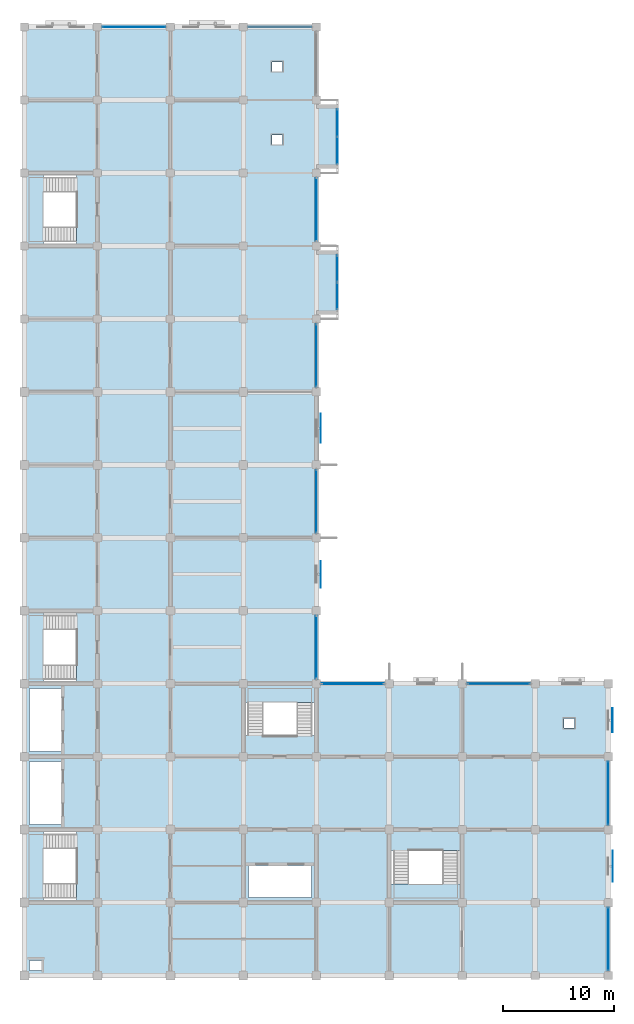
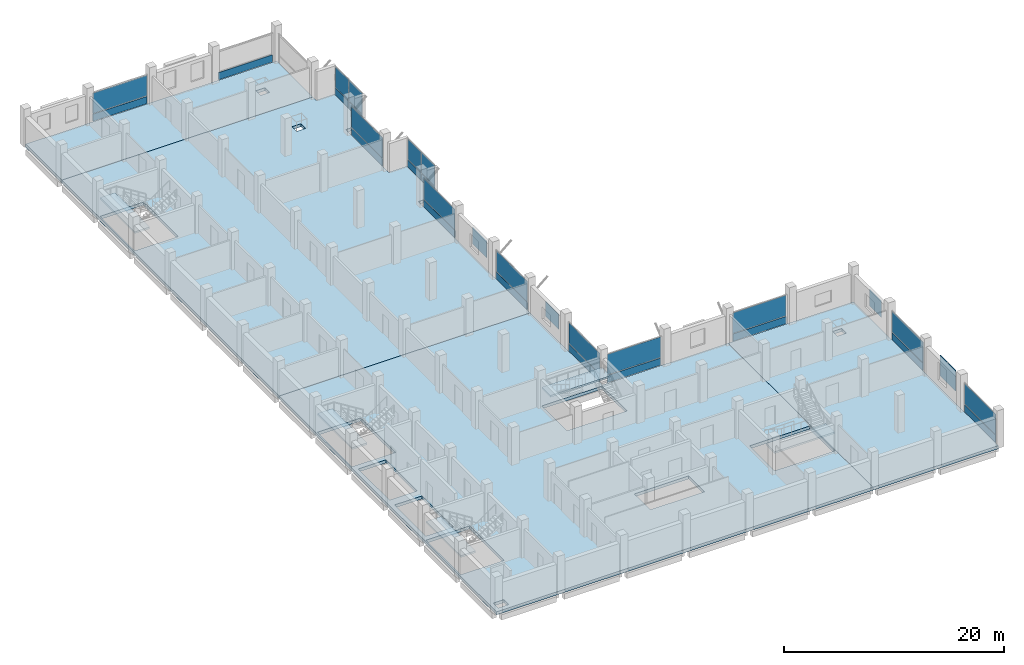
# One storey, part 8 of 18: 31 plates, 9 slabs, 17 elements without a shape of their own.
"""IFC4 building model written with IfcOpenShell, lengths in metres."""

from ifc_helpers import new_model, si_unit, direction, frame, origin, origin_2d, place, context, subcontext, project, spatial, polyline, rectangle, outline, extrude, material, layer, layer_set, type_object, element, aggregate, save


model = new_model("IFC4")

# Units and contexts
model_context = context("Model", 3, precision=1e-05, world=origin(), true_north=direction((0.0, 1.0)))
body_context = subcontext(model_context, "Body", "Model", "MODEL_VIEW")
ifc_project = project(units=[si_unit("LENGTHUNIT", "METRE"), si_unit("AREAUNIT", "SQUARE_METRE"), si_unit("VOLUMEUNIT", "CUBIC_METRE"), si_unit("PLANEANGLEUNIT", "RADIAN"), si_unit("MASSUNIT", "GRAM", prefix="KILO")], contexts=[model_context])

# Site, building, storey
site_placement = place(None, origin())
site = spatial("IfcSite", under=ifc_project, at=site_placement, CompositionType="ELEMENT")
building_placement = place(site_placement, origin())
building = spatial("IfcBuilding", under=site, at=building_placement, Name="Rusizi Kubbe Research Institute", CompositionType="ELEMENT")
storey_placement = place(building_placement, frame((0.0, 0.0, 22.800048828125)))
storey = spatial("IfcBuildingStorey", under=building, at=storey_placement, Name="L05", CompositionType="ELEMENT", Elevation=22.800048828125)

# Curtain wall, plate
ifc_material_1 = material(Name="Thermally Broken Aluminium and Low-E Glazing", Category="aluminium")
curtain_wall_type_1 = type_object("IfcCurtainWallType", Name="CW-09", PredefinedType="NOTDEFINED", material=ifc_material_1)
curtain_wall_1_placement = place(storey_placement, origin())
curtain_wall_1 = element("IfcCurtainWall", 1, at=curtain_wall_1_placement, inside=storey, type_object=curtain_wall_type_1, Name="Unitised Facade Curtain Wall CW-L05-V-04-04", PredefinedType="NOTDEFINED")
ifc_material_2 = material(Name="Double Low-E Solar Control Insulated Glass", Category="glass")
ifc_layer_1 = layer(ifc_material_2, 0.02392578125)
ifc_layer_set_1 = layer_set([ifc_layer_1], Name="Double Low-E Solar Control Insulated Glass")
plate_type_1 = type_object("IfcPlateType", Name="GL-01", PredefinedType="CURTAIN_PANEL", material=ifc_layer_set_1)
plate_1_placement = place(storey_placement, frame((26.39990234375, 29.699951171875, 0.93017578125), z_axis=(0.0, 0.0, 1.0), x_axis=(0.0, 1.0, 0.0)))
plate_1 = element("IfcPlate", 2, at=plate_1_placement, type_object=plate_type_1, Name="CW-09 panel 1.2", PredefinedType="CURTAIN_PANEL", context=body_context, shape_type="SweptSolid", body=[
    extrude(rectangle(XDim=5.659912109375, YDim=0.02392578125, at=origin_2d()), origin(), (0.0, 0.0, 1.0), 2.280029296875),
])

curtain_wall_2_placement = place(storey_placement, origin())
curtain_wall_2 = element("IfcCurtainWall", 3, at=curtain_wall_2_placement, inside=storey, type_object=curtain_wall_type_1, Name="Unitised Facade Curtain Wall CW-L05-H-04-04", PredefinedType="NOTDEFINED")
plate_2_placement = place(storey_placement, frame((29.699951171875, 26.39990234375, 0.93017578125), z_axis=(0.0, 0.0, 1.0), x_axis=(1.0, 0.0, 0.0)))
plate_2 = element("IfcPlate", 4, at=plate_2_placement, type_object=plate_type_1, Name="CW-09 panel 1.2", PredefinedType="CURTAIN_PANEL", context=body_context, shape_type="SweptSolid", body=[
    extrude(rectangle(XDim=5.639892578125, YDim=0.02392578125, at=origin_2d()), origin(), (0.0, 0.0, 1.0), 2.280029296875),
])

ifc_material_3 = material(Name="Thermally Broken Aluminium and Low-E Glazing", Category="aluminium")
curtain_wall_type_2 = type_object("IfcCurtainWallType", Name="CW-08", PredefinedType="NOTDEFINED", material=ifc_material_3)
curtain_wall_3_placement = place(storey_placement, origin())
curtain_wall_3 = element("IfcCurtainWall", 5, at=curtain_wall_3_placement, inside=storey, type_object=curtain_wall_type_2, Name="Unitised Facade Curtain Wall CW-L05-V-04-06", PredefinedType="NOTDEFINED")
ifc_material_4 = material(Name="Double Low-E Solar Control Insulated Glass", Category="glass")
ifc_layer_2 = layer(ifc_material_4, 0.028076171875)
ifc_layer_set_2 = layer_set([ifc_layer_2], Name="Double Low-E Solar Control Insulated Glass")
plate_type_2 = type_object("IfcPlateType", Name="GL-02", PredefinedType="CURTAIN_PANEL", material=ifc_layer_set_2)
plate_3_placement = place(storey_placement, frame((26.39990234375, 42.89990234375, 0.93017578125), z_axis=(0.0, 0.0, 1.0), x_axis=(0.0, 1.0, 0.0)))
plate_3 = element("IfcPlate", 6, at=plate_3_placement, type_object=plate_type_2, Name="CW-08 panel 1.2", PredefinedType="CURTAIN_PANEL", context=body_context, shape_type="SweptSolid", body=[
    extrude(rectangle(XDim=5.64990234375, YDim=0.028076171875, at=origin_2d()), origin(), (0.0, 0.0, 1.0), 2.280029296875),
])

curtain_wall_4_placement = place(storey_placement, origin())
curtain_wall_4 = element("IfcCurtainWall", 7, at=curtain_wall_4_placement, inside=storey, type_object=curtain_wall_type_2, Name="Unitised Facade Curtain Wall CW-L05-H-06-04", PredefinedType="NOTDEFINED")
plate_4_placement = place(storey_placement, frame((42.89990234375, 26.39990234375, 0.93017578125), z_axis=(0.0, 0.0, 1.0), x_axis=(1.0, 0.0, 0.0)))
plate_4 = element("IfcPlate", 8, at=plate_4_placement, type_object=plate_type_2, Name="CW-08 panel 1.2", PredefinedType="CURTAIN_PANEL", context=body_context, shape_type="SweptSolid", body=[
    extrude(rectangle(XDim=5.6298828125, YDim=0.028076171875, at=origin_2d()), origin(), (0.0, 0.0, 1.0), 2.280029296875),
])

curtain_wall_5_placement = place(storey_placement, origin())
curtain_wall_5 = element("IfcCurtainWall", 9, at=curtain_wall_5_placement, inside=storey, type_object=curtain_wall_type_1, Name="Unitised Facade Curtain Wall CW-L05-V-04-08", PredefinedType="NOTDEFINED")
ifc_material_5 = material(Name="Double Low-E Solar Control Insulated Glass", Category="glass")
ifc_layer_3 = layer(ifc_material_5, 0.031982421875)
ifc_layer_set_3 = layer_set([ifc_layer_3], Name="Double Low-E Solar Control Insulated Glass")
plate_type_3 = type_object("IfcPlateType", Name="GL-03", PredefinedType="CURTAIN_PANEL", material=ifc_layer_set_3)
plate_5_placement = place(storey_placement, frame((26.39990234375, 56.10009765625, 0.932373046875), z_axis=(0.0, 0.0, 1.0), x_axis=(0.0, 1.0, 0.0)))
plate_5 = element("IfcPlate", 10, at=plate_5_placement, type_object=plate_type_3, Name="CW-09 panel 1.2", PredefinedType="CURTAIN_PANEL", context=body_context, shape_type="SweptSolid", body=[
    extrude(rectangle(XDim=5.639892578125, YDim=0.031982421875, at=origin_2d()), origin(), (0.0, 0.0, 1.0), 2.2724609375),
])

curtain_wall_6_placement = place(storey_placement, origin())
curtain_wall_6 = element("IfcCurtainWall", 11, at=curtain_wall_6_placement, inside=storey, type_object=curtain_wall_type_1, Name="Unitised Facade Curtain Wall CW-L05-V-08-00", PredefinedType="NOTDEFINED")
plate_6_placement = place(storey_placement, frame((52.800048828125, 3.300048828125, 0.932373046875), z_axis=(0.0, 0.0, 1.0), x_axis=(0.0, 1.0, 0.0)))
plate_6 = element("IfcPlate", 12, at=plate_6_placement, type_object=plate_type_3, Name="CW-09 panel 1.2", PredefinedType="CURTAIN_PANEL", context=body_context, shape_type="SweptSolid", body=[
    extrude(rectangle(XDim=5.669921875, YDim=0.031982421875, at=origin_2d()), origin(), (0.0, 0.0, 1.0), 2.2724609375),
])

# Curtain wall, plates
ifc_material_6 = material(Name="Thermally Broken Aluminium and Low-E Glazing", Category="aluminium")
curtain_wall_type_3 = type_object("IfcCurtainWallType", Name="CW-02", PredefinedType="NOTDEFINED", material=ifc_material_6)
curtain_wall_7_placement = place(storey_placement, origin())
curtain_wall_7 = element("IfcCurtainWall", 13, at=curtain_wall_7_placement, inside=storey, type_object=curtain_wall_type_3, Name="Cumba Glazed Curtain Wall CW-CUMBA-L05-059", PredefinedType="NOTDEFINED")
ifc_material_7 = material(Name="Double Low-E Solar Control Insulated Glass", Category="glass")
ifc_layer_4 = layer(ifc_material_7, 0.035888671875)
ifc_layer_set_4 = layer_set([ifc_layer_4], Name="Double Low-E Solar Control Insulated Glass")
plate_type_4 = type_object("IfcPlateType", Name="GL-04", PredefinedType="CURTAIN_PANEL", material=ifc_layer_set_4)
plate_7_placement = place(storey_placement, frame((28.300048828125, 61.461181640625, 0.93505859375), z_axis=(0.0, 0.0, 1.0), x_axis=(0.0, 1.0, 0.0)))
plate_7 = element("IfcPlate", 14, at=plate_7_placement, type_object=plate_type_4, Name="CW-02 panel 1.2", PredefinedType="CURTAIN_PANEL", context=body_context, shape_type="SweptSolid", body=[
    extrude(rectangle(XDim=2.3974609375, YDim=0.035888671875, at=origin_2d()), origin(), (0.0, 0.0, 1.0), 2.264892578125),
])
plate_8_placement = place(storey_placement, frame((28.300048828125, 63.938720703125, 0.93505859375), z_axis=(0.0, 0.0, 1.0), x_axis=(0.0, 1.0, 0.0)))
plate_8 = element("IfcPlate", 15, at=plate_8_placement, type_object=plate_type_4, Name="CW-02 panel 2.2", PredefinedType="CURTAIN_PANEL", context=body_context, shape_type="SweptSolid", body=[
    extrude(rectangle(XDim=2.3974609375, YDim=0.035888671875, at=origin_2d()), origin(), (0.0, 0.0, 1.0), 2.264892578125),
])

# Curtain wall, plate
curtain_wall_8_placement = place(storey_placement, origin())
curtain_wall_8 = element("IfcCurtainWall", 16, at=curtain_wall_8_placement, inside=storey, type_object=curtain_wall_type_2, Name="Unitised Facade Curtain Wall CW-L05-V-08-02", PredefinedType="NOTDEFINED")
plate_9_placement = place(storey_placement, frame((52.800048828125, 16.5, 0.93505859375), z_axis=(0.0, 0.0, 1.0), x_axis=(0.0, 1.0, 0.0)))
plate_9 = element("IfcPlate", 17, at=plate_9_placement, type_object=plate_type_4, Name="CW-08 panel 1.2", PredefinedType="CURTAIN_PANEL", context=body_context, shape_type="SweptSolid", body=[
    extrude(rectangle(XDim=5.669921875, YDim=0.035888671875, at=origin_2d()), origin(), (0.0, 0.0, 1.0), 2.264892578125),
])

curtain_wall_9_placement = place(storey_placement, origin())
curtain_wall_9 = element("IfcCurtainWall", 18, at=curtain_wall_9_placement, inside=storey, type_object=curtain_wall_type_2, Name="Unitised Facade Curtain Wall CW-L05-V-04-10", PredefinedType="NOTDEFINED")
ifc_material_8 = material(Name="Double Low-E Solar Control Insulated Glass", Category="glass")
ifc_layer_5 = layer(ifc_material_8, 0.0400390625)
ifc_layer_set_5 = layer_set([ifc_layer_5], Name="Double Low-E Solar Control Insulated Glass")
plate_type_5 = type_object("IfcPlateType", Name="GL-05", PredefinedType="CURTAIN_PANEL", material=ifc_layer_set_5)
plate_10_placement = place(storey_placement, frame((26.39990234375, 69.300048828125, 0.93017578125), z_axis=(0.0, 0.0, 1.0), x_axis=(0.0, 1.0, 0.0)))
plate_10 = element("IfcPlate", 19, at=plate_10_placement, type_object=plate_type_5, Name="CW-08 panel 1.2", PredefinedType="CURTAIN_PANEL", context=body_context, shape_type="SweptSolid", body=[
    extrude(rectangle(XDim=5.669921875, YDim=0.0400390625, at=origin_2d()), origin(), (0.0, 0.0, 1.0), 2.280029296875),
])

# Curtain wall, plates
curtain_wall_10_placement = place(storey_placement, origin())
curtain_wall_10 = element("IfcCurtainWall", 20, at=curtain_wall_10_placement, inside=storey, type_object=curtain_wall_type_3, Name="Cumba Glazed Curtain Wall CW-CUMBA-L05-061", PredefinedType="NOTDEFINED")
ifc_material_9 = material(Name="Double Low-E Solar Control Insulated Glass", Category="glass")
ifc_layer_6 = layer(ifc_material_9, 0.0439453125)
ifc_layer_set_6 = layer_set([ifc_layer_6], Name="Double Low-E Solar Control Insulated Glass")
plate_type_6 = type_object("IfcPlateType", Name="GL-06", PredefinedType="CURTAIN_PANEL", material=ifc_layer_set_6)
plate_11_placement = place(storey_placement, frame((28.300048828125, 74.65625, 0.93017578125), z_axis=(0.0, 0.0, 1.0), x_axis=(0.0, 1.0, 0.0)))
plate_11 = element("IfcPlate", 21, at=plate_11_placement, type_object=plate_type_6, Name="CW-02 panel 1.2", PredefinedType="CURTAIN_PANEL", context=body_context, shape_type="SweptSolid", body=[
    extrude(rectangle(XDim=2.427490234375, YDim=0.0439453125, at=origin_2d()), origin(), (0.0, 0.0, 1.0), 2.280029296875),
])
plate_12_placement = place(storey_placement, frame((28.300048828125, 77.143798828125, 0.93017578125), z_axis=(0.0, 0.0, 1.0), x_axis=(0.0, 1.0, 0.0)))
plate_12 = element("IfcPlate", 22, at=plate_12_placement, type_object=plate_type_6, Name="CW-02 panel 2.2", PredefinedType="CURTAIN_PANEL", context=body_context, shape_type="SweptSolid", body=[
    extrude(rectangle(XDim=2.427490234375, YDim=0.0439453125, at=origin_2d()), origin(), (0.0, 0.0, 1.0), 2.280029296875),
])

# Curtain wall, plate
curtain_wall_11_placement = place(storey_placement, origin())
curtain_wall_11 = element("IfcCurtainWall", 23, at=curtain_wall_11_placement, inside=storey, type_object=curtain_wall_type_2, Name="Unitised Facade Curtain Wall CW-L05-H-01-13", PredefinedType="NOTDEFINED")
ifc_material_10 = material(Name="Double Low-E Solar Control Insulated Glass", Category="glass")
ifc_layer_7 = layer(ifc_material_10, 0.052001953125)
ifc_layer_set_7 = layer_set([ifc_layer_7], Name="Double Low-E Solar Control Insulated Glass")
plate_type_7 = type_object("IfcPlateType", Name="GL-08", PredefinedType="CURTAIN_PANEL", material=ifc_layer_set_7)
plate_13_placement = place(storey_placement, frame((9.89990234375, 85.800048828125, 0.93505859375), z_axis=(0.0, 0.0, 1.0), x_axis=(1.0, 0.0, 0.0)))
plate_13 = element("IfcPlate", 24, at=plate_13_placement, type_object=plate_type_7, Name="CW-08 panel 1.2", PredefinedType="CURTAIN_PANEL", context=body_context, shape_type="SweptSolid", body=[
    extrude(rectangle(XDim=5.669921875, YDim=0.052001953125, at=origin_2d()), origin(), (0.0, 0.0, 1.0), 2.264892578125),
])

# Plates
ifc_material_11 = material(Name="Perforated Architectural Bronze Screen", Category="steel")
ifc_layer_8 = layer(ifc_material_11, 0.01806640625)
ifc_layer_set_8 = layer_set([ifc_layer_8], Name="Perforated Architectural Bronze Screen")
plate_type_8 = type_object("IfcPlateType", Name="MS-01", PredefinedType="SHEET", material=ifc_layer_set_8)
plate_14_placement = place(storey_placement, frame((26.8125, 36.300048828125, 0.759765625), z_axis=(0.0, 0.0, 1.0), x_axis=(0.0, 1.0, 0.0)))
element("IfcPlate", 25, at=plate_14_placement, inside=storey, type_object=plate_type_8, Name="Mashrabiya Perforated Screen MS-01-048", PredefinedType="SHEET", context=body_context, shape_type="SweptSolid", body=[
    extrude(rectangle(XDim=2.39990234375, YDim=0.01806640625, at=origin_2d()), origin(), (0.0, 0.0, 1.0), 1.679931640625),
])
ifc_material_12 = material(Name="Perforated Architectural Bronze Screen", Category="steel")
ifc_layer_9 = layer(ifc_material_12, 0.02001953125)
ifc_layer_set_9 = layer_set([ifc_layer_9], Name="Perforated Architectural Bronze Screen")
plate_type_9 = type_object("IfcPlateType", Name="MS-02", PredefinedType="SHEET", material=ifc_layer_set_9)
plate_15_placement = place(storey_placement, frame((26.797607421875, 49.5, 0.760009765625), z_axis=(0.0, 0.0, 1.0), x_axis=(0.0, 1.0, 0.0)))
element("IfcPlate", 26, at=plate_15_placement, inside=storey, type_object=plate_type_9, Name="Mashrabiya Perforated Screen MS-02-049", PredefinedType="SHEET", context=body_context, shape_type="SweptSolid", body=[
    extrude(rectangle(XDim=2.60009765625, YDim=0.02001953125, at=origin_2d()), origin(), (0.0, 0.0, 1.0), 1.89990234375),
])
ifc_material_13 = material(Name="Perforated Architectural Bronze Screen", Category="steel")
ifc_layer_10 = layer(ifc_material_13, 0.02197265625)
ifc_layer_set_10 = layer_set([ifc_layer_10], Name="Perforated Architectural Bronze Screen")
plate_type_10 = type_object("IfcPlateType", Name="MS-03", PredefinedType="SHEET", material=ifc_layer_set_10)
plate_16_placement = place(storey_placement, frame((53.21240234375, 9.89990234375, 0.759765625), z_axis=(0.0, 0.0, 1.0), x_axis=(0.0, 1.0, 0.0)))
element("IfcPlate", 27, at=plate_16_placement, inside=storey, type_object=plate_type_10, Name="Mashrabiya Perforated Screen MS-03-050", PredefinedType="SHEET", context=body_context, shape_type="SweptSolid", body=[
    extrude(rectangle(XDim=2.800048828125, YDim=0.02197265625, at=origin_2d()), origin(), (0.0, 0.0, 1.0), 2.340087890625),
])
ifc_material_14 = material(Name="Perforated Architectural Bronze Screen", Category="steel")
ifc_layer_11 = layer(ifc_material_14, 0.01611328125)
ifc_layer_set_11 = layer_set([ifc_layer_11], Name="Perforated Architectural Bronze Screen")
plate_type_11 = type_object("IfcPlateType", Name="MS-04", PredefinedType="SHEET", material=ifc_layer_set_11)
plate_17_placement = place(storey_placement, frame((53.197509765625, 23.10009765625, 0.760009765625), z_axis=(0.0, 0.0, 1.0), x_axis=(0.0, 1.0, 0.0)))
element("IfcPlate", 28, at=plate_17_placement, inside=storey, type_object=plate_type_11, Name="Mashrabiya Perforated Screen MS-04-051", PredefinedType="SHEET", context=body_context, shape_type="SweptSolid", body=[
    extrude(rectangle(XDim=2.199951171875, YDim=0.01611328125, at=origin_2d()), origin(), (0.0, 0.0, 1.0), 1.89990234375),
])

# Slabs
ifc_material_15 = material(Name="Concrete C40/50", Category="concrete")
ifc_layer_12 = layer(ifc_material_15, 0.340087890625)
ifc_layer_set_12 = layer_set([ifc_layer_12], Name="Concrete C40/50")
slab_type_1 = type_object("IfcSlabType", Name="SL-F340", PredefinedType="FLOOR", material=ifc_layer_set_12)
slab_1_placement = place(storey_placement, frame((0.0, 0.0, -0.340087890625)))
element("IfcSlab", 29, at=slab_1_placement, inside=storey, type_object=slab_type_1, Name="Structural Slab L05 CORE", PredefinedType="FLOOR", context=body_context, shape_type="SweptSolid", body=[
    extrude(outline(polyline([(0.0, 33.0), (0.0, 39.60009765625), (6.60009765625, 39.60009765625), (13.199951171875, 39.60009765625), (19.800048828125, 39.60009765625), (26.39990234375, 39.60009765625), (26.39990234375, 33.0), (26.39990234375, 26.39990234375), (33.0, 26.39990234375), (39.60009765625, 26.39990234375), (39.60009765625, 19.800048828125), (39.60009765625, 13.199951171875), (39.60009765625, 6.60009765625), (39.60009765625, 0.0), (33.0, 0.0), (26.39990234375, 0.0), (19.800048828125, 0.0), (13.199951171875, 0.0), (6.60009765625, 0.0), (0.0, 0.0), (0.0, 6.60009765625), (0.0, 13.199951171875), (0.0, 19.800048828125), (0.0, 26.39990234375), (0.0, 33.0)]), holes=[polyline([(0.449951171875, 1.35009765625), (0.449951171875, 0.449951171875), (1.550048828125, 0.449951171875), (1.550048828125, 1.35009765625), (0.449951171875, 1.35009765625)]), polyline([(20.25, 9.949951171875), (20.25, 7.050048828125), (25.949951171875, 7.050048828125), (25.949951171875, 9.949951171875), (20.25, 9.949951171875)]), polyline([(33.139892578125, 11.300048828125), (33.139892578125, 6.739990234375), (39.4599609375, 6.739990234375), (39.4599609375, 11.300048828125), (33.139892578125, 11.300048828125)]), polyline([(0.139892578125, 13.06005859375), (0.139892578125, 6.739990234375), (4.699951171875, 6.739990234375), (4.699951171875, 13.06005859375), (0.139892578125, 13.06005859375)]), polyline([(0.449951171875, 19.35009765625), (0.449951171875, 13.64990234375), (3.35009765625, 13.64990234375), (3.35009765625, 19.35009765625), (0.449951171875, 19.35009765625)]), polyline([(0.449951171875, 25.949951171875), (0.449951171875, 20.25), (3.35009765625, 20.25), (3.35009765625, 25.949951171875), (0.449951171875, 25.949951171875)]), polyline([(19.93994140625, 26.260009765625), (19.93994140625, 21.699951171875), (26.260009765625, 21.699951171875), (26.260009765625, 26.260009765625), (19.93994140625, 26.260009765625)]), polyline([(4.699951171875, 32.860107421875), (0.139892578125, 32.860107421875), (0.139892578125, 26.5400390625), (4.699951171875, 26.5400390625), (4.699951171875, 32.860107421875)])]), origin(), (0.0, 0.0, 1.0), 0.340087890625),
])
slab_2_placement = place(storey_placement, frame((0.0, 0.0, -0.340087890625)))
element("IfcSlab", 30, at=slab_2_placement, inside=storey, type_object=slab_type_1, Name="Structural Slab L05 NORTHA", PredefinedType="FLOOR", context=body_context, shape_type="SweptSolid", body=[
    extrude(outline(polyline([(0.0, 72.60009765625), (0.0, 79.199951171875), (6.60009765625, 79.199951171875), (13.199951171875, 79.199951171875), (19.800048828125, 79.199951171875), (26.39990234375, 79.199951171875), (26.39990234375, 78.60009765625), (28.39990234375, 78.60009765625), (28.39990234375, 73.199951171875), (26.39990234375, 73.199951171875), (26.39990234375, 72.60009765625), (26.39990234375, 66.0), (26.39990234375, 65.39990234375), (28.39990234375, 65.39990234375), (28.39990234375, 60.0), (26.39990234375, 60.0), (26.39990234375, 59.39990234375), (26.39990234375, 52.800048828125), (26.39990234375, 46.199951171875), (26.39990234375, 39.60009765625), (19.800048828125, 39.60009765625), (13.199951171875, 39.60009765625), (6.60009765625, 39.60009765625), (0.0, 39.60009765625), (0.0, 46.199951171875), (0.0, 52.800048828125), (0.0, 59.39990234375), (0.0, 66.0), (0.0, 72.60009765625)]), holes=[polyline([(4.699951171875, 72.4599609375), (0.139892578125, 72.4599609375), (0.139892578125, 66.139892578125), (4.699951171875, 66.139892578125), (4.699951171875, 72.4599609375)]), polyline([(23.35009765625, 76.050048828125), (22.39990234375, 76.050048828125), (22.39990234375, 75.199951171875), (23.35009765625, 75.199951171875), (23.35009765625, 76.050048828125)])]), origin(), (0.0, 0.0, 1.0), 0.340087890625),
])
slab_3_placement = place(storey_placement, frame((0.0, 0.0, -0.340087890625)))
element("IfcSlab", 31, at=slab_3_placement, inside=storey, type_object=slab_type_1, Name="Structural Slab L05 NORTHB", PredefinedType="FLOOR", context=body_context, shape_type="SweptSolid", body=[
    extrude(outline(polyline([(6.60009765625, 85.800048828125), (13.199951171875, 85.800048828125), (19.800048828125, 85.800048828125), (26.39990234375, 85.800048828125), (26.39990234375, 79.199951171875), (19.800048828125, 79.199951171875), (13.199951171875, 79.199951171875), (6.60009765625, 79.199951171875), (0.0, 79.199951171875), (0.0, 85.800048828125), (6.60009765625, 85.800048828125)]), holes=[polyline([(23.35009765625, 82.64990234375), (22.39990234375, 82.64990234375), (22.39990234375, 81.800048828125), (23.35009765625, 81.800048828125), (23.35009765625, 82.64990234375)])]), origin(), (0.0, 0.0, 1.0), 0.340087890625),
])
slab_4_placement = place(storey_placement, frame((0.0, 0.0, -0.340087890625)))
element("IfcSlab", 32, at=slab_4_placement, inside=storey, type_object=slab_type_1, Name="Structural Slab L05 EAST", PredefinedType="FLOOR", context=body_context, shape_type="SweptSolid", body=[
    extrude(outline(polyline([(39.60009765625, 19.800048828125), (39.60009765625, 26.39990234375), (46.199951171875, 26.39990234375), (52.800048828125, 26.39990234375), (52.800048828125, 19.800048828125), (52.800048828125, 13.199951171875), (52.800048828125, 6.60009765625), (52.800048828125, 0.0), (46.199951171875, 0.0), (39.60009765625, 0.0), (39.60009765625, 6.60009765625), (39.60009765625, 13.199951171875), (39.60009765625, 19.800048828125)]), holes=[polyline([(48.800048828125, 23.25), (48.800048828125, 22.39990234375), (49.75, 22.39990234375), (49.75, 23.25), (48.800048828125, 23.25)])]), origin(), (0.0, 0.0, 1.0), 0.340087890625),
])

# Stair, slab
ifc_material_16 = material(Name="Concrete C40/50", Category="concrete")
stair_type_1 = type_object("IfcStairType", Name="ST-H420A", PredefinedType="HALF_TURN_STAIR", material=ifc_material_16)
stair_1_placement = place(storey_placement, origin())
stair_1 = element("IfcStair", 33, at=stair_1_placement, inside=storey, type_object=stair_type_1, Name="Protected Exit Stair ST1 (L05)", PredefinedType="HALF_TURN_STAIR")
ifc_material_17 = material(Name="Concrete C40/50", Category="concrete")
ifc_layer_13 = layer(ifc_material_17, 0.195068359375)
ifc_layer_set_13 = layer_set([ifc_layer_13], Name="Concrete C40/50")
slab_type_2 = type_object("IfcSlabType", Name="SL-L195", PredefinedType="LANDING", material=ifc_layer_set_13)
slab_5_placement = place(storey_placement, frame((0.0, 0.0, 1.905029296875)))
slab_5 = element("IfcSlab", 34, at=slab_5_placement, type_object=slab_type_2, Name="ST1 landing 1", PredefinedType="LANDING", context=body_context, shape_type="SweptSolid", body=[
    extrude(outline(polyline([(1.7060546875, 13.06005859375), (0.139892578125, 13.06005859375), (0.139892578125, 6.739990234375), (1.7060546875, 6.739990234375), (1.7060546875, 13.06005859375)])), origin(), (0.0, 0.0, 1.0), 0.19482421875),
])
aggregate(stair_1, [slab_5])

stair_2_placement = place(storey_placement, origin())
stair_2 = element("IfcStair", 35, at=stair_2_placement, inside=storey, type_object=stair_type_1, Name="Protected Exit Stair ST2 (L05)", PredefinedType="HALF_TURN_STAIR")
slab_6_placement = place(storey_placement, frame((0.0, 0.0, 1.905029296875)))
slab_6 = element("IfcSlab", 36, at=slab_6_placement, type_object=slab_type_2, Name="ST2 landing 1", PredefinedType="LANDING", context=body_context, shape_type="SweptSolid", body=[
    extrude(outline(polyline([(1.7060546875, 32.860107421875), (0.139892578125, 32.860107421875), (0.139892578125, 26.5400390625), (1.7060546875, 26.5400390625), (1.7060546875, 32.860107421875)])), origin(), (0.0, 0.0, 1.0), 0.19482421875),
])
aggregate(stair_2, [slab_6])

ifc_material_18 = material(Name="Concrete C40/50", Category="concrete")
stair_type_2 = type_object("IfcStairType", Name="ST-H420B", PredefinedType="HALF_TURN_STAIR", material=ifc_material_18)
stair_3_placement = place(storey_placement, origin())
stair_3 = element("IfcStair", 37, at=stair_3_placement, inside=storey, type_object=stair_type_2, Name="Protected Exit Stair ST3 (L05)", PredefinedType="HALF_TURN_STAIR")
slab_7_placement = place(storey_placement, frame((0.0, 0.0, 1.905029296875)))
slab_7 = element("IfcSlab", 38, at=slab_7_placement, type_object=slab_type_2, Name="ST3 landing 1", PredefinedType="LANDING", context=body_context, shape_type="SweptSolid", body=[
    extrude(outline(polyline([(26.260009765625, 24.694091796875), (26.260009765625, 26.260009765625), (19.93994140625, 26.260009765625), (19.93994140625, 24.694091796875), (26.260009765625, 24.694091796875)])), origin(), (0.0, 0.0, 1.0), 0.19482421875),
])
aggregate(stair_3, [slab_7])

stair_4_placement = place(storey_placement, origin())
stair_4 = element("IfcStair", 39, at=stair_4_placement, inside=storey, type_object=stair_type_2, Name="Protected Exit Stair ST4 (L05)", PredefinedType="HALF_TURN_STAIR")
slab_8_placement = place(storey_placement, frame((0.0, 0.0, 1.905029296875)))
slab_8 = element("IfcSlab", 40, at=slab_8_placement, type_object=slab_type_2, Name="ST4 landing 1", PredefinedType="LANDING", context=body_context, shape_type="SweptSolid", body=[
    extrude(outline(polyline([(33.139892578125, 8.305908203125), (33.139892578125, 6.739990234375), (39.4599609375, 6.739990234375), (39.4599609375, 8.305908203125), (33.139892578125, 8.305908203125)])), origin(), (0.0, 0.0, 1.0), 0.19482421875),
])
aggregate(stair_4, [slab_8])

stair_5_placement = place(storey_placement, origin())
stair_5 = element("IfcStair", 41, at=stair_5_placement, inside=storey, type_object=stair_type_1, Name="Protected Exit Stair ST5 (L05)", PredefinedType="HALF_TURN_STAIR")
slab_9_placement = place(storey_placement, frame((0.0, 0.0, 1.905029296875)))
slab_9 = element("IfcSlab", 42, at=slab_9_placement, type_object=slab_type_2, Name="ST5 landing 1", PredefinedType="LANDING", context=body_context, shape_type="SweptSolid", body=[
    extrude(outline(polyline([(1.7060546875, 72.4599609375), (0.139892578125, 72.4599609375), (0.139892578125, 66.139892578125), (1.7060546875, 66.139892578125), (1.7060546875, 72.4599609375)])), origin(), (0.0, 0.0, 1.0), 0.19482421875),
])
aggregate(stair_5, [slab_9])

# Plate
ifc_material_19 = material(Name="Ceramic-Frit Insulated Spandrel Panel", Category="glass")
ifc_layer_14 = layer(ifc_material_19, 0.05810546875)
ifc_layer_set_14 = layer_set([ifc_layer_14], Name="Ceramic-Frit Insulated Spandrel Panel")
plate_type_12 = type_object("IfcPlateType", Name="SP-01", PredefinedType="CURTAIN_PANEL", material=ifc_layer_set_14)
plate_18_placement = place(storey_placement, frame((26.39990234375, 29.699951171875, 0.059814453125), z_axis=(0.0, 0.0, 1.0), x_axis=(0.0, 1.0, 0.0)))
plate_18 = element("IfcPlate", 43, at=plate_18_placement, type_object=plate_type_12, Name="CW-09 panel 1.1", PredefinedType="CURTAIN_PANEL", context=body_context, shape_type="SweptSolid", body=[
    extrude(rectangle(XDim=5.659912109375, YDim=0.05810546875, at=origin_2d()), origin(), (0.0, 0.0, 1.0), 0.81005859375),
])

aggregate(curtain_wall_1, [plate_18, plate_1])

plate_19_placement = place(storey_placement, frame((26.39990234375, 69.300048828125, 0.059814453125), z_axis=(0.0, 0.0, 1.0), x_axis=(0.0, 1.0, 0.0)))
plate_19 = element("IfcPlate", 44, at=plate_19_placement, type_object=plate_type_12, Name="CW-08 panel 1.1", PredefinedType="CURTAIN_PANEL", context=body_context, shape_type="SweptSolid", body=[
    extrude(rectangle(XDim=5.669921875, YDim=0.05810546875, at=origin_2d()), origin(), (0.0, 0.0, 1.0), 0.81005859375),
])

aggregate(curtain_wall_9, [plate_19, plate_10])

plate_20_placement = place(storey_placement, frame((29.699951171875, 26.39990234375, 0.059814453125), z_axis=(0.0, 0.0, 1.0), x_axis=(1.0, 0.0, 0.0)))
plate_20 = element("IfcPlate", 45, at=plate_20_placement, type_object=plate_type_12, Name="CW-09 panel 1.1", PredefinedType="CURTAIN_PANEL", context=body_context, shape_type="SweptSolid", body=[
    extrude(rectangle(XDim=5.639892578125, YDim=0.05810546875, at=origin_2d()), origin(), (0.0, 0.0, 1.0), 0.81005859375),
])

aggregate(curtain_wall_2, [plate_20, plate_2])

ifc_material_20 = material(Name="Ceramic-Frit Insulated Spandrel Panel", Category="glass")
ifc_layer_15 = layer(ifc_material_20, 0.06396484375)
ifc_layer_set_15 = layer_set([ifc_layer_15], Name="Ceramic-Frit Insulated Spandrel Panel")
plate_type_13 = type_object("IfcPlateType", Name="SP-02", PredefinedType="CURTAIN_PANEL", material=ifc_layer_set_15)
plate_21_placement = place(storey_placement, frame((26.39990234375, 42.89990234375, 0.059814453125), z_axis=(0.0, 0.0, 1.0), x_axis=(0.0, 1.0, 0.0)))
plate_21 = element("IfcPlate", 46, at=plate_21_placement, type_object=plate_type_13, Name="CW-08 panel 1.1", PredefinedType="CURTAIN_PANEL", context=body_context, shape_type="SweptSolid", body=[
    extrude(rectangle(XDim=5.64990234375, YDim=0.06396484375, at=origin_2d()), origin(), (0.0, 0.0, 1.0), 0.81005859375),
])

aggregate(curtain_wall_3, [plate_21, plate_3])

plate_22_placement = place(storey_placement, frame((28.300048828125, 74.65625, 0.059814453125), z_axis=(0.0, 0.0, 1.0), x_axis=(0.0, 1.0, 0.0)))
plate_22 = element("IfcPlate", 47, at=plate_22_placement, type_object=plate_type_13, Name="CW-02 panel 1.1", PredefinedType="CURTAIN_PANEL", context=body_context, shape_type="SweptSolid", body=[
    extrude(rectangle(XDim=2.427490234375, YDim=0.06396484375, at=origin_2d()), origin(), (0.0, 0.0, 1.0), 0.81005859375),
])

plate_23_placement = place(storey_placement, frame((28.300048828125, 77.143798828125, 0.059814453125), z_axis=(0.0, 0.0, 1.0), x_axis=(0.0, 1.0, 0.0)))
plate_23 = element("IfcPlate", 48, at=plate_23_placement, type_object=plate_type_13, Name="CW-02 panel 2.1", PredefinedType="CURTAIN_PANEL", context=body_context, shape_type="SweptSolid", body=[
    extrude(rectangle(XDim=2.427490234375, YDim=0.06396484375, at=origin_2d()), origin(), (0.0, 0.0, 1.0), 0.81005859375),
])

aggregate(curtain_wall_10, [plate_22, plate_11, plate_23, plate_12])

plate_24_placement = place(storey_placement, frame((42.89990234375, 26.39990234375, 0.059814453125), z_axis=(0.0, 0.0, 1.0), x_axis=(1.0, 0.0, 0.0)))
plate_24 = element("IfcPlate", 49, at=plate_24_placement, type_object=plate_type_13, Name="CW-08 panel 1.1", PredefinedType="CURTAIN_PANEL", context=body_context, shape_type="SweptSolid", body=[
    extrude(rectangle(XDim=5.6298828125, YDim=0.06396484375, at=origin_2d()), origin(), (0.0, 0.0, 1.0), 0.81005859375),
])

aggregate(curtain_wall_4, [plate_24, plate_4])

ifc_material_21 = material(Name="Ceramic-Frit Insulated Spandrel Panel", Category="glass")
ifc_layer_16 = layer(ifc_material_21, 0.070068359375)
ifc_layer_set_16 = layer_set([ifc_layer_16], Name="Ceramic-Frit Insulated Spandrel Panel")
plate_type_14 = type_object("IfcPlateType", Name="SP-03", PredefinedType="CURTAIN_PANEL", material=ifc_layer_set_16)
plate_25_placement = place(storey_placement, frame((26.39990234375, 56.10009765625, 0.06494140625), z_axis=(0.0, 0.0, 1.0), x_axis=(0.0, 1.0, 0.0)))
plate_25 = element("IfcPlate", 50, at=plate_25_placement, type_object=plate_type_14, Name="CW-09 panel 1.1", PredefinedType="CURTAIN_PANEL", context=body_context, shape_type="SweptSolid", body=[
    extrude(rectangle(XDim=5.639892578125, YDim=0.070068359375, at=origin_2d()), origin(), (0.0, 0.0, 1.0), 0.802490234375),
])

aggregate(curtain_wall_5, [plate_25, plate_5])

# Curtain wall, plate
curtain_wall_12_placement = place(storey_placement, origin())
curtain_wall_12 = element("IfcCurtainWall", 51, at=curtain_wall_12_placement, inside=storey, type_object=curtain_wall_type_1, Name="Unitised Facade Curtain Wall CW-L05-H-03-13", PredefinedType="NOTDEFINED")
plate_26_placement = place(storey_placement, frame((23.10009765625, 85.800048828125, 0.06494140625), z_axis=(0.0, 0.0, 1.0), x_axis=(1.0, 0.0, 0.0)))
plate_26 = element("IfcPlate", 52, at=plate_26_placement, type_object=plate_type_14, Name="CW-09 panel 1.1", PredefinedType="CURTAIN_PANEL", context=body_context, shape_type="SweptSolid", body=[
    extrude(rectangle(XDim=5.659912109375, YDim=0.070068359375, at=origin_2d()), origin(), (0.0, 0.0, 1.0), 0.802490234375),
])
aggregate(curtain_wall_12, [plate_26])

# Plate
plate_27_placement = place(storey_placement, frame((52.800048828125, 3.300048828125, 0.06494140625), z_axis=(0.0, 0.0, 1.0), x_axis=(0.0, 1.0, 0.0)))
plate_27 = element("IfcPlate", 53, at=plate_27_placement, type_object=plate_type_14, Name="CW-09 panel 1.1", PredefinedType="CURTAIN_PANEL", context=body_context, shape_type="SweptSolid", body=[
    extrude(rectangle(XDim=5.669921875, YDim=0.070068359375, at=origin_2d()), origin(), (0.0, 0.0, 1.0), 0.802490234375),
])

aggregate(curtain_wall_6, [plate_27, plate_6])

ifc_material_22 = material(Name="Ceramic-Frit Insulated Spandrel Panel", Category="glass")
ifc_layer_17 = layer(ifc_material_22, 0.075927734375)
ifc_layer_set_17 = layer_set([ifc_layer_17], Name="Ceramic-Frit Insulated Spandrel Panel")
plate_type_15 = type_object("IfcPlateType", Name="SP-04", PredefinedType="CURTAIN_PANEL", material=ifc_layer_set_17)
plate_28_placement = place(storey_placement, frame((9.89990234375, 85.800048828125, 0.070068359375), z_axis=(0.0, 0.0, 1.0), x_axis=(1.0, 0.0, 0.0)))
plate_28 = element("IfcPlate", 54, at=plate_28_placement, type_object=plate_type_15, Name="CW-08 panel 1.1", PredefinedType="CURTAIN_PANEL", context=body_context, shape_type="SweptSolid", body=[
    extrude(rectangle(XDim=5.669921875, YDim=0.075927734375, at=origin_2d()), origin(), (0.0, 0.0, 1.0), 0.794921875),
])

aggregate(curtain_wall_11, [plate_28, plate_13])

plate_29_placement = place(storey_placement, frame((28.300048828125, 61.461181640625, 0.070068359375), z_axis=(0.0, 0.0, 1.0), x_axis=(0.0, 1.0, 0.0)))
plate_29 = element("IfcPlate", 55, at=plate_29_placement, type_object=plate_type_15, Name="CW-02 panel 1.1", PredefinedType="CURTAIN_PANEL", context=body_context, shape_type="SweptSolid", body=[
    extrude(rectangle(XDim=2.3974609375, YDim=0.075927734375, at=origin_2d()), origin(), (0.0, 0.0, 1.0), 0.794921875),
])

plate_30_placement = place(storey_placement, frame((28.300048828125, 63.938720703125, 0.070068359375), z_axis=(0.0, 0.0, 1.0), x_axis=(0.0, 1.0, 0.0)))
plate_30 = element("IfcPlate", 56, at=plate_30_placement, type_object=plate_type_15, Name="CW-02 panel 2.1", PredefinedType="CURTAIN_PANEL", context=body_context, shape_type="SweptSolid", body=[
    extrude(rectangle(XDim=2.3974609375, YDim=0.075927734375, at=origin_2d()), origin(), (0.0, 0.0, 1.0), 0.794921875),
])

aggregate(curtain_wall_7, [plate_29, plate_7, plate_30, plate_8])

plate_31_placement = place(storey_placement, frame((52.800048828125, 16.5, 0.070068359375), z_axis=(0.0, 0.0, 1.0), x_axis=(0.0, 1.0, 0.0)))
plate_31 = element("IfcPlate", 57, at=plate_31_placement, type_object=plate_type_15, Name="CW-08 panel 1.1", PredefinedType="CURTAIN_PANEL", context=body_context, shape_type="SweptSolid", body=[
    extrude(rectangle(XDim=5.669921875, YDim=0.075927734375, at=origin_2d()), origin(), (0.0, 0.0, 1.0), 0.794921875),
])

aggregate(curtain_wall_8, [plate_31, plate_9])

save(model, "model.ifc")
